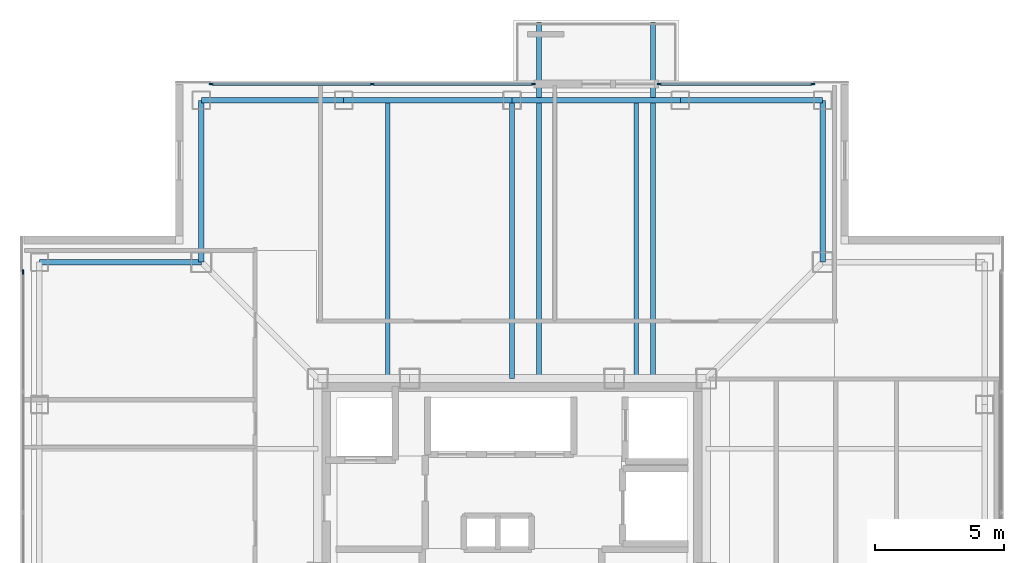
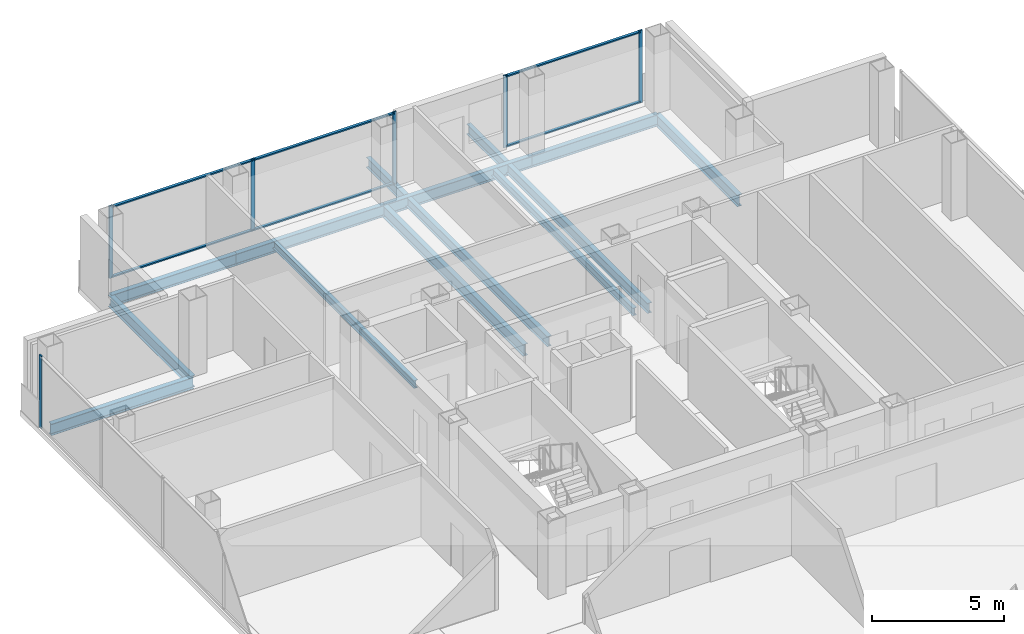
# One storey, part 5 of 15: 12 beams, 12 members, 3 elements without a shape of their own.
"""IFC4 building model written with IfcOpenShell, lengths in metres."""

from ifc_helpers import new_model, si_unit, direction, frame, origin, origin_2d, place, context, subcontext, project, spatial, rectangle, i_section, extrude, material, layer, layer_set, material_profile, profile_set, type_object, element, aggregate, save


model = new_model("IFC4")

# Units and contexts
model_context = context("Model", 3, precision=1e-05, world=origin(), true_north=direction((0.0, 1.0)))
body_context = subcontext(model_context, "Body", "Model", "MODEL_VIEW")
ifc_project = project(units=[si_unit("LENGTHUNIT", "METRE"), si_unit("AREAUNIT", "SQUARE_METRE"), si_unit("VOLUMEUNIT", "CUBIC_METRE"), si_unit("PLANEANGLEUNIT", "RADIAN"), si_unit("MASSUNIT", "GRAM", prefix="KILO")], contexts=[model_context])

# Site, building, storey
site_placement = place(None, origin())
site = spatial("IfcSite", under=ifc_project, at=site_placement, CompositionType="ELEMENT")
building_placement = place(site_placement, origin())
building = spatial("IfcBuilding", under=site, at=building_placement, Name="Trevonay Congress Spire", CompositionType="ELEMENT")
storey_placement = place(building_placement, frame((0.0, 0.0, 275.60009765625)))
storey = spatial("IfcBuildingStorey", under=building, at=storey_placement, Name="L72", CompositionType="ELEMENT", Elevation=275.60009765625)

# Beams
ifc_material_1 = material(Name="Steel ASTM A572 Grade 50", Category="steel")
ifc_material_profile_1 = material_profile(ifc_material_1, i_section(OverallWidth=0.194091796875, OverallDepth=0.468994140625, WebThickness=0.011474609375, FlangeThickness=0.01953125, FilletRadius=0.013916015625, at=origin_2d()), Name="W460x106")
ifc_profile_set_1 = profile_set([ifc_material_profile_1], Name="Steel ASTM A572 Grade 50")
beam_type_1 = type_object("IfcBeamType", Name="BM-BAL-LOOKOUT", PredefinedType="BEAM", material=ifc_profile_set_1)
for number, where, z_axis, x_axis, name in (
    (1, (1.050048828125, 7.5, -0.474609375), (0.0, 1.0, 0.0), (-1.0, 0.0, 0.0), "L72 structural beam LKT-L72-N1"),
    (2, (5.449951171875, 7.5, -0.474609375), (0.0, 1.0, 0.0), (-1.0, 0.0, 0.0), "L72 structural beam LKT-L72-N2"),
):
    element("IfcBeam", number, at=place(storey_placement, frame(where, z_axis=z_axis, x_axis=x_axis)), inside=storey, type_object=beam_type_1, Name=name, PredefinedType="BEAM", context=body_context, shape_type="SweptSolid", body=[
        extrude(i_section(OverallWidth=0.194091796875, OverallDepth=0.468994140625, WebThickness=0.011474609375, FlangeThickness=0.01953125, FilletRadius=0.013916015625, at=origin_2d()), origin(), (0.0, 0.0, 1.0), 13.75),
    ])
ifc_material_profile_2 = material_profile(ifc_material_1, i_section(OverallWidth=0.2119140625, OverallDepth=0.5439453125, WebThickness=0.01318359375, FlangeThickness=0.021240234375, FilletRadius=0.014892578125, at=origin_2d()), Name="W530x123")
ifc_profile_set_2 = profile_set([ifc_material_profile_2], Name="Steel ASTM A572 Grade 50")
beam_type_2 = type_object("IfcBeamType", Name="BM-GIRD-W530X123", PredefinedType="BEAM", material=ifc_profile_set_2)
beam_1_placement = place(storey_placement, frame((0.0, 7.5, -0.51220703125), z_axis=(0.0, 1.0, 0.0), x_axis=(-1.0, 0.0, 0.0)))
element("IfcBeam", 3, at=beam_1_placement, inside=storey, type_object=beam_type_2, Name="L72 structural beam BM-L72-GC-N", PredefinedType="BEAM", context=body_context, shape_type="SweptSolid", body=[
    extrude(i_section(OverallWidth=0.2119140625, OverallDepth=0.5439453125, WebThickness=0.01318359375, FlangeThickness=0.021240234375, FilletRadius=0.014892578125, at=origin_2d()), origin(), (0.0, 0.0, 1.0), 10.75),
])
ifc_material_profile_3 = material_profile(ifc_material_1, i_section(OverallWidth=0.208984375, OverallDepth=0.532958984375, WebThickness=0.01025390625, FlangeThickness=0.015625, FilletRadius=0.014892578125, at=origin_2d()), Name="W530x92")
ifc_profile_set_3 = profile_set([ifc_material_profile_3], Name="Steel ASTM A572 Grade 50")
beam_type_3 = type_object("IfcBeamType", Name="BM-RING-W530X92", PredefinedType="BEAM", material=ifc_profile_set_3)
beam_2_placement = place(storey_placement, frame((-12.0, 18.25, -0.506591796875), z_axis=(1.0, 0.0, 0.0), x_axis=(0.0, 1.0, 0.0)))
element("IfcBeam", 4, at=beam_2_placement, inside=storey, type_object=beam_type_3, Name="L72 structural beam BM-L72-PN1", PredefinedType="BEAM", context=body_context, shape_type="SweptSolid", body=[
    extrude(i_section(OverallWidth=0.208984375, OverallDepth=0.532958984375, WebThickness=0.01025390625, FlangeThickness=0.015625, FilletRadius=0.014892578125, at=origin_2d()), origin(), (0.0, 0.0, 1.0), 5.5),
])
for number, where, z_axis, x_axis, name in (
    (5, (-6.5, 18.25, -0.506591796875), (1.0, 0.0, 0.0), (0.0, 1.0, 0.0), "L72 structural beam BM-L72-PN2"),
    (6, (0.0, 18.25, -0.506591796875), (1.0, 0.0, 0.0), (0.0, 1.0, 0.0), "L72 structural beam BM-L72-PN3"),
):
    element("IfcBeam", number, at=place(storey_placement, frame(where, z_axis=z_axis, x_axis=x_axis)), inside=storey, type_object=beam_type_3, Name=name, PredefinedType="BEAM", context=body_context, shape_type="SweptSolid", body=[
        extrude(i_section(OverallWidth=0.208984375, OverallDepth=0.532958984375, WebThickness=0.01025390625, FlangeThickness=0.015625, FilletRadius=0.014892578125, at=origin_2d()), origin(), (0.0, 0.0, 1.0), 6.5),
    ])
beam_3_placement = place(storey_placement, frame((6.5, 18.25, -0.506591796875), z_axis=(1.0, 0.0, 0.0), x_axis=(0.0, 1.0, 0.0)))
element("IfcBeam", 7, at=beam_3_placement, inside=storey, type_object=beam_type_3, Name="L72 structural beam BM-L72-PN4", PredefinedType="BEAM", context=body_context, shape_type="SweptSolid", body=[
    extrude(i_section(OverallWidth=0.208984375, OverallDepth=0.532958984375, WebThickness=0.01025390625, FlangeThickness=0.015625, FilletRadius=0.014892578125, at=origin_2d()), origin(), (0.0, 0.0, 1.0), 5.5),
])
for number, where, z_axis, x_axis, name in (
    (8, (12.0, 18.25, -0.506591796875), (0.0, -1.0, 0.0), (1.0, 0.0, 0.0), "L72 structural beam BM-L72-N1NE"),
    (9, (-12.0, 18.25, -0.506591796875), (0.0, -1.0, 0.0), (1.0, 0.0, 0.0), "L72 structural beam BM-L72-N1NW"),
    (10, (-18.25, 12.0, -0.506591796875), (1.0, 0.0, 0.0), (0.0, 1.0, 0.0), "L72 structural beam BM-L72-N2NW"),
):
    element("IfcBeam", number, at=place(storey_placement, frame(where, z_axis=z_axis, x_axis=x_axis)), inside=storey, type_object=beam_type_3, Name=name, PredefinedType="BEAM", context=body_context, shape_type="SweptSolid", body=[
        extrude(i_section(OverallWidth=0.208984375, OverallDepth=0.532958984375, WebThickness=0.01025390625, FlangeThickness=0.015625, FilletRadius=0.014892578125, at=origin_2d()), origin(), (0.0, 0.0, 1.0), 6.25),
    ])

# Curtain wall, members
ifc_material_2 = material(Name="Pale Anodised Aluminium EN AW-6063-T6", Category="aluminium")
ifc_layer = layer(ifc_material_2, 0.1650390625, Name="Pale Anodised Aluminium EN AW-6063-T6")
ifc_layer_set = layer_set([ifc_layer], Name="Pale Anodised Aluminium EN AW-6063-T6")
curtain_wall_type = type_object("IfcCurtainWallType", Name="CW-SYS05-DIPLOM-PALE-METAL", PredefinedType="NOTDEFINED", material=ifc_layer_set)
curtain_wall_1_placement = place(storey_placement, origin())
curtain_wall_1 = element("IfcCurtainWall", 11, at=curtain_wall_1_placement, inside=storey, type_object=curtain_wall_type, Name="L72 NA unitised curtain wall", PredefinedType="NOTDEFINED")
ifc_material_profile_4 = material_profile(ifc_material_2, rectangle(XDim=0.06005859375, YDim=0.159912109375, at=origin_2d()), Name="CW-MULLION-160-ALUMINIUM")
ifc_profile_set_4 = profile_set([ifc_material_profile_4], Name="Pale Anodised Aluminium EN AW-6063-T6")
member_type_1 = type_object("IfcMemberType", Name="CW-MULLION-160-ALUMINIUM", PredefinedType="MULLION", material=ifc_profile_set_4)
member_1_placement = place(storey_placement, frame((-11.6201171875, 18.8798828125, 0.0), z_axis=(0.0, 0.0, 1.0), x_axis=(0.0, 1.0, 0.0)))
member_1 = element("IfcMember", 12, at=member_1_placement, type_object=member_type_1, Name="CW05 mullion 1", PredefinedType="MULLION", context=body_context, shape_type="SweptSolid", body=[
    extrude(rectangle(XDim=0.06005859375, YDim=0.159912109375, at=origin_2d()), origin(), (0.0, 0.0, 1.0), 3.35986328125),
])
member_2_placement = place(storey_placement, frame((-5.39990234375, 18.8798828125, 0.0), z_axis=(0.0, 0.0, 1.0), x_axis=(0.0, 1.0, 0.0)))
member_2 = element("IfcMember", 13, at=member_2_placement, type_object=member_type_1, Name="CW05 mullion 2", PredefinedType="MULLION", context=body_context, shape_type="SweptSolid", body=[
    extrude(rectangle(XDim=0.06005859375, YDim=0.159912109375, at=origin_2d()), origin(), (0.0, 0.0, 1.0), 3.35986328125),
])
member_3_placement = place(storey_placement, frame((0.820068359375, 18.8798828125, 0.0), z_axis=(0.0, 0.0, 1.0), x_axis=(0.0, 1.0, 0.0)))
member_3 = element("IfcMember", 14, at=member_3_placement, type_object=member_type_1, Name="CW05 mullion 3", PredefinedType="MULLION", context=body_context, shape_type="SweptSolid", body=[
    extrude(rectangle(XDim=0.06005859375, YDim=0.159912109375, at=origin_2d()), origin(), (0.0, 0.0, 1.0), 3.35986328125),
])

curtain_wall_2_placement = place(storey_placement, origin())
curtain_wall_2 = element("IfcCurtainWall", 15, at=curtain_wall_2_placement, inside=storey, type_object=curtain_wall_type, Name="L72 NB unitised curtain wall", PredefinedType="NOTDEFINED")
member_4_placement = place(storey_placement, frame((5.679931640625, 18.8798828125, 0.0), z_axis=(0.0, 0.0, 1.0), x_axis=(0.0, 1.0, 0.0)))
member_4 = element("IfcMember", 16, at=member_4_placement, type_object=member_type_1, Name="CW05 mullion 1", PredefinedType="MULLION", context=body_context, shape_type="SweptSolid", body=[
    extrude(rectangle(XDim=0.06005859375, YDim=0.159912109375, at=origin_2d()), origin(), (0.0, 0.0, 1.0), 3.35986328125),
])
member_5_placement = place(storey_placement, frame((11.6201171875, 18.8798828125, 0.0), z_axis=(0.0, 0.0, 1.0), x_axis=(0.0, 1.0, 0.0)))
member_5 = element("IfcMember", 17, at=member_5_placement, type_object=member_type_1, Name="CW05 mullion 2", PredefinedType="MULLION", context=body_context, shape_type="SweptSolid", body=[
    extrude(rectangle(XDim=0.06005859375, YDim=0.159912109375, at=origin_2d()), origin(), (0.0, 0.0, 1.0), 3.35986328125),
])

# Curtain wall, member
curtain_wall_3_placement = place(storey_placement, origin())
curtain_wall_3 = element("IfcCurtainWall", 18, at=curtain_wall_3_placement, inside=storey, type_object=curtain_wall_type, Name="L72 W unitised curtain wall", PredefinedType="NOTDEFINED")
member_6_placement = place(storey_placement, frame((-18.8798828125, 11.6201171875, 0.0), z_axis=(0.0, 0.0, 1.0), x_axis=(-1.0, 0.0, 0.0)))
member_6 = element("IfcMember", 19, at=member_6_placement, type_object=member_type_1, Name="CW05 mullion 6", PredefinedType="MULLION", context=body_context, shape_type="SweptSolid", body=[
    extrude(rectangle(XDim=0.06005859375, YDim=0.159912109375, at=origin_2d()), origin(), (0.0, 0.0, 1.0), 3.35986328125),
])
aggregate(curtain_wall_3, [member_6])

# Member
ifc_material_profile_5 = material_profile(ifc_material_2, rectangle(XDim=0.1201171875, YDim=0.06005859375, at=origin_2d()), Name="CW-TRANSOM-120-ALUMINIUM")
ifc_profile_set_5 = profile_set([ifc_material_profile_5], Name="Pale Anodised Aluminium EN AW-6063-T6")
member_type_2 = type_object("IfcMemberType", Name="CW-TRANSOM-120-ALUMINIUM", PredefinedType="USERDEFINED", material=ifc_profile_set_5)
member_7_placement = place(storey_placement, frame((-11.590087890625, 18.8798828125, 0.059814453125), z_axis=(1.0, 0.0, 0.0), x_axis=(0.0, 1.0, 0.0)))
member_7 = element("IfcMember", 20, at=member_7_placement, type_object=member_type_2, Name="CW05 transom 1.1", ObjectType="TRANSOM", PredefinedType="USERDEFINED", context=body_context, shape_type="SweptSolid", body=[
    extrude(rectangle(XDim=0.1201171875, YDim=0.06005859375, at=origin_2d()), origin(), (0.0, 0.0, 1.0), 6.16015625),
])

member_8_placement = place(storey_placement, frame((-11.590087890625, 18.8798828125, 3.2998046875), z_axis=(1.0, 0.0, 0.0), x_axis=(0.0, 1.0, 0.0)))
member_8 = element("IfcMember", 21, at=member_8_placement, type_object=member_type_2, Name="CW05 transom 1.2", ObjectType="TRANSOM", PredefinedType="USERDEFINED", context=body_context, shape_type="SweptSolid", body=[
    extrude(rectangle(XDim=0.1201171875, YDim=0.06005859375, at=origin_2d()), origin(), (0.0, 0.0, 1.0), 6.16015625),
])

member_9_placement = place(storey_placement, frame((-5.3701171875, 18.8798828125, 0.059814453125), z_axis=(1.0, 0.0, 0.0), x_axis=(0.0, 1.0, 0.0)))
member_9 = element("IfcMember", 22, at=member_9_placement, type_object=member_type_2, Name="CW05 transom 2.1", ObjectType="TRANSOM", PredefinedType="USERDEFINED", context=body_context, shape_type="SweptSolid", body=[
    extrude(rectangle(XDim=0.1201171875, YDim=0.06005859375, at=origin_2d()), origin(), (0.0, 0.0, 1.0), 6.16015625),
])

member_10_placement = place(storey_placement, frame((-5.3701171875, 18.8798828125, 3.2998046875), z_axis=(1.0, 0.0, 0.0), x_axis=(0.0, 1.0, 0.0)))
member_10 = element("IfcMember", 23, at=member_10_placement, type_object=member_type_2, Name="CW05 transom 2.2", ObjectType="TRANSOM", PredefinedType="USERDEFINED", context=body_context, shape_type="SweptSolid", body=[
    extrude(rectangle(XDim=0.1201171875, YDim=0.06005859375, at=origin_2d()), origin(), (0.0, 0.0, 1.0), 6.16015625),
])

aggregate(curtain_wall_1, [member_1, member_2, member_3, member_7, member_8, member_9, member_10])

member_11_placement = place(storey_placement, frame((5.7099609375, 18.8798828125, 0.059814453125), z_axis=(1.0, 0.0, 0.0), x_axis=(0.0, 1.0, 0.0)))
member_11 = element("IfcMember", 24, at=member_11_placement, type_object=member_type_2, Name="CW05 transom 1.1", ObjectType="TRANSOM", PredefinedType="USERDEFINED", context=body_context, shape_type="SweptSolid", body=[
    extrude(rectangle(XDim=0.1201171875, YDim=0.06005859375, at=origin_2d()), origin(), (0.0, 0.0, 1.0), 5.880126953125),
])

member_12_placement = place(storey_placement, frame((5.7099609375, 18.8798828125, 3.2998046875), z_axis=(1.0, 0.0, 0.0), x_axis=(0.0, 1.0, 0.0)))
member_12 = element("IfcMember", 25, at=member_12_placement, type_object=member_type_2, Name="CW05 transom 1.2", ObjectType="TRANSOM", PredefinedType="USERDEFINED", context=body_context, shape_type="SweptSolid", body=[
    extrude(rectangle(XDim=0.1201171875, YDim=0.06005859375, at=origin_2d()), origin(), (0.0, 0.0, 1.0), 5.880126953125),
])

aggregate(curtain_wall_2, [member_4, member_5, member_11, member_12])

# Beams
ifc_material_profile_6 = material_profile(ifc_material_1, i_section(OverallWidth=0.172119140625, OverallDepth=0.35791015625, WebThickness=0.0078125, FlangeThickness=0.01318359375, FilletRadius=0.011962890625, at=origin_2d()), Name="W360x57.8")
ifc_profile_set_6 = profile_set([ifc_material_profile_6], Name="Steel ASTM A572 Grade 50")
beam_type_4 = type_object("IfcBeamType", Name="JS-COMP-W360X57", PredefinedType="JOIST", material=ifc_profile_set_6)
for number, where, z_axis, x_axis, name in (
    (26, (-4.800048828125, 7.5, -0.419189453125), (0.0, 1.0, 0.0), (-1.0, 0.0, 0.0), "L72 structural beam JS-L72-NS-N1"),
    (27, (4.800048828125, 7.5, -0.419189453125), (0.0, 1.0, 0.0), (-1.0, 0.0, 0.0), "L72 structural beam JS-L72-NS-N3"),
):
    element("IfcBeam", number, at=place(storey_placement, frame(where, z_axis=z_axis, x_axis=x_axis)), inside=storey, type_object=beam_type_4, Name=name, PredefinedType="JOIST", context=body_context, shape_type="SweptSolid", body=[
        extrude(i_section(OverallWidth=0.172119140625, OverallDepth=0.35791015625, WebThickness=0.0078125, FlangeThickness=0.01318359375, FilletRadius=0.011962890625, at=origin_2d()), origin(), (0.0, 0.0, 1.0), 10.75),
    ])

save(model, "model.ifc")
